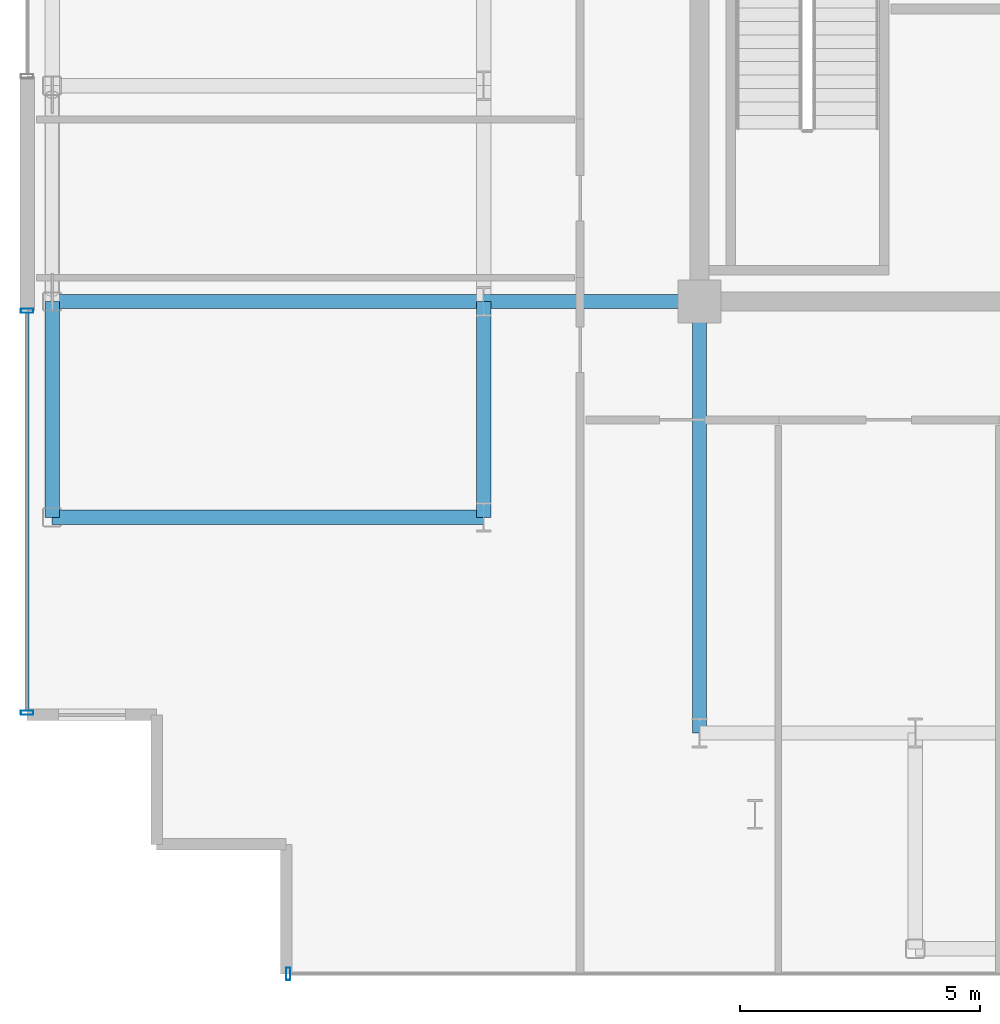
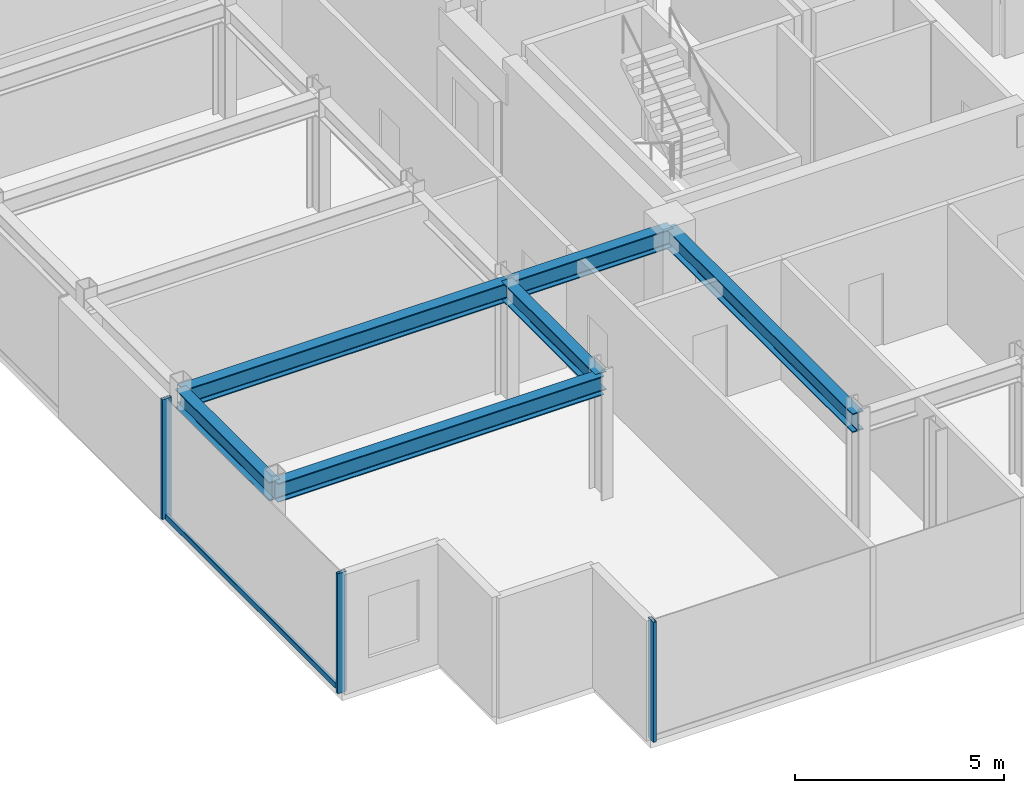
# One storey, part 2 of 16: 6 beams, 4 members, 2 elements without a shape of their own.
"""IFC4 building model written with IfcOpenShell, lengths in metres."""

import ifcopenshell
import ifcopenshell.guid

model = None  # the IFC model being written
_history = None  # IfcOwnerHistory: only IFC2X3 demands one
_inside = {}  # id of a spatial element -> (the spatial element, [elements in it])
_under = {}  # id of a project, library or spatial element -> (it, [spatial elements below it])
_declared = {}  # id of a project -> (the project, [libraries it declares])
_typed = {}  # id of a type object -> (the type object, [elements of that type])
_made_of = {}  # id of a material, layer set ... -> (it, [elements and type objects made of it])


def new_model(schema):
    """Start an empty IFC model of exactly this schema.

    Asked for "IFC4X3", IfcOpenShell would pick the latest addendum, in which some entities
    have other attributes; the version numbers below select the first issue.
    IFC2X3 requires an IfcOwnerHistory on every rooted entity: one is made here for all.
    """
    global model, _history
    if schema == "IFC4X3":
        model = ifcopenshell.file(schema_version=(4, 3, 0, 0))
    else:
        model = ifcopenshell.file(schema=schema)
    _inside.clear()
    _under.clear()
    _declared.clear()
    _typed.clear()
    _made_of.clear()
    _history = None
    if model.schema == "IFC2X3":
        org = make("IfcOrganization", Name="unknown")
        user = make(
            "IfcPersonAndOrganization",
            ThePerson=make("IfcPerson", FamilyName="unknown"),
            TheOrganization=org,
        )
        app = make(
            "IfcApplication",
            ApplicationDeveloper=org,
            Version="unknown",
            ApplicationFullName="unknown",
            ApplicationIdentifier="unknown",
        )
        _history = make(
            "IfcOwnerHistory",
            OwningUser=user,
            OwningApplication=app,
            ChangeAction="ADDED",
            CreationDate=0,
        )
    return model


def make(cls, **values):
    """One entity of the class cls with the attributes given. An attribute that is None is left unset."""
    return model.create_entity(
        cls, **{name: value for name, value in values.items() if value is not None}
    )


def rooted(cls, **values):
    """An entity with a GlobalId (a new one), such as an element, a storey or a relation."""
    return make(cls, GlobalId=ifcopenshell.guid.new(), OwnerHistory=_history, **values)


def si_unit(unit_type, name, prefix=None):
    """IfcSIUnit, for example si_unit("LENGTHUNIT", "METRE", prefix="MILLI")."""
    return make("IfcSIUnit", UnitType=unit_type, Prefix=prefix, Name=name)


def assignment(units):
    """IfcUnitAssignment: the units of a project."""
    return None if units is None else make("IfcUnitAssignment", Units=units)


def point(xyz):
    """IfcCartesianPoint."""
    return None if xyz is None else make("IfcCartesianPoint", Coordinates=xyz)


def direction(xyz):
    """IfcDirection."""
    return None if xyz is None else make("IfcDirection", DirectionRatios=xyz)


def frame(location, z_axis=None, x_axis=None):
    """IfcAxis2Placement3D, a coordinate frame: its origin and axes. An axis left out is left unset."""
    return make(
        "IfcAxis2Placement3D",
        Location=point(location),
        Axis=direction(z_axis),
        RefDirection=direction(x_axis),
    )


def frame_2d(location, x_axis=None):
    """IfcAxis2Placement2D, a coordinate frame in the plane: its origin and x axis."""
    return make(
        "IfcAxis2Placement2D", Location=point(location), RefDirection=direction(x_axis)
    )


def origin():
    """The frame at (0, 0, 0) with its axes left unset."""
    return frame((0.0, 0.0, 0.0))


def origin_2d():
    """The frame at (0, 0) in the plane with its x axis left unset."""
    return frame_2d((0.0, 0.0))


def place(relative_to, where):
    """IfcLocalPlacement: puts the frame where relative to a parent placement (None: the world)."""
    return make(
        "IfcLocalPlacement", PlacementRelTo=relative_to, RelativePlacement=where
    )


def context(
    kind, dimensions, precision=None, world=None, true_north=None, identifier=None
):
    """IfcGeometricRepresentationContext, for example the 3D "Model" context."""
    return make(
        "IfcGeometricRepresentationContext",
        ContextIdentifier=identifier,
        ContextType=kind,
        CoordinateSpaceDimension=dimensions,
        Precision=precision,
        WorldCoordinateSystem=world,
        TrueNorth=true_north,
    )


def subcontext(parent, identifier, kind, view, scale=None):
    """IfcGeometricRepresentationSubContext, for example "Body" below "Model"."""
    return make(
        "IfcGeometricRepresentationSubContext",
        ContextIdentifier=identifier,
        ContextType=kind,
        ParentContext=parent,
        TargetScale=scale,
        TargetView=view,
    )


def project(units=None, contexts=None):
    """IfcProject with its units and contexts."""
    return rooted(
        "IfcProject",
        Name="project",
        RepresentationContexts=contexts,
        UnitsInContext=assignment(units),
    )


def spatial(cls, under=None, at=None, **own):
    """A site, building, storey or space (cls), placed at a placement, below another one or the project."""
    s = rooted(cls, ObjectPlacement=at, **own)
    if under is not None:
        _under.setdefault(under.id(), (under, []))[1].append(s)
    return s


def profile(cls, at=None, kind="AREA", **sizes):
    """A parametric profile (cls). Its sizes go by their IFC names, for example OverallWidth=200.0."""
    return make(cls, ProfileType=kind, Position=at, **sizes)


def hollow_rectangle(**sizes):
    """IfcRectangleHollowProfileDef."""
    return profile("IfcRectangleHollowProfileDef", **sizes)


def i_section(**sizes):
    """IfcIShapeProfileDef."""
    return profile("IfcIShapeProfileDef", **sizes)


def extrude(swept, where, along, depth):
    """IfcExtrudedAreaSolid: the profile swept, set in the frame where, extruded along a direction by depth."""
    return make(
        "IfcExtrudedAreaSolid",
        SweptArea=swept,
        Position=where,
        ExtrudedDirection=direction(along),
        Depth=depth,
    )


def shape(context_of_items, identifier, shape_type, items):
    """IfcShapeRepresentation: the items that make up one representation, for example the "Body"."""
    return make(
        "IfcShapeRepresentation",
        ContextOfItems=context_of_items,
        RepresentationIdentifier=identifier,
        RepresentationType=shape_type,
        Items=items,
    )


def source(mapping_origin, context_of_items, identifier, shape_type, items):
    """IfcRepresentationMap: a shape defined once, which mapped items show again and again."""
    return make(
        "IfcRepresentationMap",
        MappingOrigin=mapping_origin,
        MappedRepresentation=shape(context_of_items, identifier, shape_type, items),
    )


def transform(
    local_origin,
    x_axis=None,
    y_axis=None,
    z_axis=None,
    scale=None,
    scale2=None,
    scale3=None,
    uniform=True,
):
    """IfcCartesianTransformationOperator3D, or its non-uniform kind. x_axis, y_axis, z_axis: its Axis1, 2, 3."""
    if uniform:
        return make(
            "IfcCartesianTransformationOperator3D",
            Axis1=direction(x_axis),
            Axis2=direction(y_axis),
            LocalOrigin=point(local_origin),
            Scale=scale,
            Axis3=direction(z_axis),
        )
    return make(
        "IfcCartesianTransformationOperator3DnonUniform",
        Axis1=direction(x_axis),
        Axis2=direction(y_axis),
        LocalOrigin=point(local_origin),
        Scale=scale,
        Axis3=direction(z_axis),
        Scale2=scale2,
        Scale3=scale3,
    )


def mapped(mapping_source, mapping_target):
    """IfcMappedItem: shows the shape of a source again, moved by a transform."""
    return make(
        "IfcMappedItem", MappingSource=mapping_source, MappingTarget=mapping_target
    )


def material(Name=None, Category=None):
    """IfcMaterial."""
    return make("IfcMaterial", Name=Name, Category=Category)


def layer(
    of_material, thickness, ventilated=None, Name=None, Category=None, Priority=None
):
    """IfcMaterialLayer: one layer of a wall or slab, of a material (None: an air gap)."""
    return make(
        "IfcMaterialLayer",
        Material=of_material,
        LayerThickness=thickness,
        IsVentilated=ventilated,
        Name=Name,
        Category=Category,
        Priority=Priority,
    )


def layer_set(layers, Name=None):
    """IfcMaterialLayerSet."""
    return make("IfcMaterialLayerSet", MaterialLayers=layers, LayerSetName=Name)


def material_profile(
    of_material, cross_section, Name=None, Category=None, Priority=None
):
    """IfcMaterialProfile: a cross section and its material."""
    return make(
        "IfcMaterialProfile",
        Name=Name,
        Material=of_material,
        Profile=cross_section,
        Priority=Priority,
        Category=Category,
    )


def profile_set(profiles, Name=None, composite=None):
    """IfcMaterialProfileSet."""
    return make(
        "IfcMaterialProfileSet",
        Name=Name,
        MaterialProfiles=profiles,
        CompositeProfile=composite,
    )


def made_of(thing, what):
    """Note that an element or type object is made of a material, layer set ...; save() writes the relation."""
    if what is not None:
        _made_of.setdefault(what.id(), (what, []))[1].append(thing)
    return thing


def type_object(cls, material=None, **own):
    """A type object (cls), such as IfcWallType, which elements share."""
    return made_of(rooted(cls, **own), material)


def element(
    cls,
    number,
    at=None,
    inside=None,
    cuts=None,
    type_object=None,
    material=None,
    context=None,
    identifier="Body",
    shape_type=None,
    held_by="IfcProductDefinitionShape",
    body=None,
    shapes=None,
    **own,
):
    """One element of the class cls, such as IfcWall. Its Tag is "e" and its number.

    at: its placement. inside: the storey or other place that contains it. cuts: it is an
    opening in that element (IfcRelVoidsElement). A single representation is given by context,
    identifier, shape_type and body (its items); several are given by shapes. held_by: the class
    of the entity that holds the representations. save() writes the other relations.
    """
    e = rooted(cls, Tag="e%d" % number, ObjectPlacement=at, **own)
    if body is not None:
        shapes = [shape(context, identifier, shape_type, body)]
    if shapes is not None:
        e.Representation = make(held_by, Representations=shapes)
    if inside is not None:
        _inside.setdefault(inside.id(), (inside, []))[1].append(e)
    if cuts is not None:
        rooted(
            "IfcRelVoidsElement", RelatingBuildingElement=cuts, RelatedOpeningElement=e
        )
    if type_object is not None:
        _typed.setdefault(type_object.id(), (type_object, []))[1].append(e)
    return made_of(e, material)


def aggregate(whole, parts):
    """IfcRelAggregates: a whole, such as a stair, and the parts it consists of."""
    return rooted("IfcRelAggregates", RelatingObject=whole, RelatedObjects=parts)


def save(model, path):
    """Write the relations noted so far, then the file.

    IfcRelAggregates (storeys below a building ...), IfcRelContainedInSpatialStructure (elements
    in a storey), IfcRelDefinesByType, IfcRelAssociatesMaterial and IfcRelDeclares: one each for
    every whole, place, type object, material and project.
    """
    for whole, parts in _under.values():
        aggregate(whole, parts)
    for where, things in _inside.values():
        rooted(
            "IfcRelContainedInSpatialStructure",
            RelatedElements=things,
            RelatingStructure=where,
        )
    for kind, things in _typed.values():
        rooted("IfcRelDefinesByType", RelatedObjects=things, RelatingType=kind)
    for what, things in _made_of.values():
        rooted("IfcRelAssociatesMaterial", RelatedObjects=things, RelatingMaterial=what)
    for by, libraries in _declared.values():
        rooted("IfcRelDeclares", RelatingContext=by, RelatedDefinitions=libraries)
    model.write(path)


model = new_model("IFC4")

# Units and contexts
model_context = context("Model", 3, precision=1e-05, world=origin(), true_north=direction((0.0, 1.0)))
body_context = subcontext(model_context, "Body", "Model", "MODEL_VIEW")
ifc_project = project(units=[si_unit("LENGTHUNIT", "METRE"), si_unit("AREAUNIT", "SQUARE_METRE"), si_unit("VOLUMEUNIT", "CUBIC_METRE"), si_unit("PLANEANGLEUNIT", "RADIAN"), si_unit("MASSUNIT", "GRAM", prefix="KILO")], contexts=[model_context])

# Site, building, storey
site_placement = place(None, origin())
site = spatial("IfcSite", under=ifc_project, at=site_placement, CompositionType="ELEMENT")
building_placement = place(site_placement, origin())
building = spatial("IfcBuilding", under=site, at=building_placement, Name="Nefas-Gora Pilgrimage Tower", CompositionType="ELEMENT")
storey_placement = place(building_placement, frame((0.0, 0.0, 345.199951171875)))
storey = spatial("IfcBuildingStorey", under=building, at=storey_placement, Name="L87", CompositionType="ELEMENT", Elevation=345.199951171875)

# Beams
ifc_material_1 = material(Name="Steel S355", Category="steel")
ifc_material_profile_1 = material_profile(ifc_material_1, i_section(OverallWidth=0.300048828125, OverallDepth=0.550048828125, WebThickness=0.014892578125, FlangeThickness=0.029052734375, FilletRadius=0.027099609375, at=origin_2d()), Name="HEB 550")
ifc_profile_set_1 = profile_set([ifc_material_profile_1], Name="Steel S355")
beam_type_1 = type_object("IfcBeamType", Name="BM-SPN-HEB400", PredefinedType="SPANDREL", material=ifc_profile_set_1)
shared_shape_1 = source(origin(), body_context, "Body", "SweptSolid", [
    extrude(i_section(OverallWidth=0.300048828125, OverallDepth=0.550048828125, WebThickness=0.014892578125, FlangeThickness=0.029052734375, FilletRadius=0.027099609375, at=origin_2d()), origin(), (0.0, 0.0, 1.0), 4.5),
])
beam_placement = place(storey_placement, frame((-24.75, -13.5, 3.22509765625), z_axis=(0.0, 1.0, 0.0), x_axis=(-1.0, 0.0, 0.0)))
element("IfcBeam", 1, at=beam_placement, inside=storey, type_object=beam_type_1, Name="L87 SP-04 beam", PredefinedType="SPANDREL", context=body_context, shape_type="MappedRepresentation", body=[
    mapped(shared_shape_1, transform((0.0, 0.0, 0.0), x_axis=(1.0, 0.0, 0.0), y_axis=(0.0, 1.0, 0.0), z_axis=(0.0, 0.0, 1.0), scale=1.0)),
])
ifc_material_profile_2 = material_profile(ifc_material_1, i_section(OverallWidth=0.300048828125, OverallDepth=0.550048828125, WebThickness=0.014892578125, FlangeThickness=0.029052734375, FilletRadius=0.027099609375, at=origin_2d()), Name="HEB 550")
ifc_profile_set_2 = profile_set([ifc_material_profile_2], Name="Steel S355")
beam_type_2 = type_object("IfcBeamType", Name="BM-GIR-HEB550", PredefinedType="BEAM", material=ifc_profile_set_2)
shared_shape_2 = source(origin(), body_context, "Body", "SweptSolid", [
    extrude(i_section(OverallWidth=0.300048828125, OverallDepth=0.550048828125, WebThickness=0.014892578125, FlangeThickness=0.029052734375, FilletRadius=0.027099609375, at=origin_2d()), origin(), (0.0, 0.0, 1.0), 9.0),
])
for number, where, z_axis, x_axis, name in (
    (2, (-24.75, -13.5, 3.22509765625), (1.0, 0.0, 0.0), (0.0, 1.0, 0.0), "L87 G-05 beam"),
    (3, (-24.75, -9.0, 3.22509765625), (1.0, 0.0, 0.0), (0.0, 1.0, 0.0), "L87 G-05 beam"),
    (4, (-11.25, -18.0, 3.22509765625), (0.0, 1.0, 0.0), (-1.0, 0.0, 0.0), "L87 G-05 beam"),
):
    element("IfcBeam", number, at=place(storey_placement, frame(where, z_axis=z_axis, x_axis=x_axis)), inside=storey, type_object=beam_type_2, Name=name, PredefinedType="BEAM", context=body_context, shape_type="MappedRepresentation", body=[
        mapped(shared_shape_2, transform((0.0, 0.0, 0.0), x_axis=(1.0, 0.0, 0.0), y_axis=(0.0, 1.0, 0.0), z_axis=(0.0, 0.0, 1.0), scale=1.0)),
    ])
shared_shape_3 = source(origin(), body_context, "Body", "SweptSolid", [
    extrude(i_section(OverallWidth=0.300048828125, OverallDepth=0.550048828125, WebThickness=0.014892578125, FlangeThickness=0.029052734375, FilletRadius=0.027099609375, at=origin_2d()), origin(), (0.0, 0.0, 1.0), 4.5),
])
for number, where, z_axis, x_axis, name in (
    (5, (-15.75, -13.5, 3.22509765625), (0.0, 1.0, 0.0), (-1.0, 0.0, 0.0), "L87 G-05 beam"),
    (6, (-15.75, -9.0, 3.22509765625), (1.0, 0.0, 0.0), (0.0, 1.0, 0.0), "L87 G-05 beam"),
):
    element("IfcBeam", number, at=place(storey_placement, frame(where, z_axis=z_axis, x_axis=x_axis)), inside=storey, type_object=beam_type_2, Name=name, PredefinedType="BEAM", context=body_context, shape_type="MappedRepresentation", body=[
        mapped(shared_shape_3, transform((0.0, 0.0, 0.0), x_axis=(1.0, 0.0, 0.0), y_axis=(0.0, 1.0, 0.0), z_axis=(0.0, 0.0, 1.0), scale=1.0)),
    ])

# Curtain wall, members
ifc_material_2 = material(Name="Dark ceramic-fritted solar-control aluminium-glass curtain wall", Category="aluminium")
ifc_layer = layer(ifc_material_2, 0.219970703125)
ifc_layer_set = layer_set([ifc_layer], Name="Dark ceramic-fritted solar-control aluminium-glass curtain wall")
curtain_wall_type = type_object("IfcCurtainWallType", Name="CW-SYS-4", PredefinedType="NOTDEFINED", material=ifc_layer_set)
curtain_wall_1_placement = place(storey_placement, origin())
curtain_wall_1 = element("IfcCurtainWall", 7, at=curtain_wall_1_placement, inside=storey, type_object=curtain_wall_type, Name="L87 Unitised Curtain Wall CW4", PredefinedType="NOTDEFINED")
ifc_material_3 = material(Name="Anodised architectural aluminium", Category="aluminium")
ifc_material_profile_3 = material_profile(ifc_material_3, hollow_rectangle(XDim=0.080078125, YDim=0.159912109375, WallThickness=0.00439453125, InnerFilletRadius=0.00439453125, OuterFilletRadius=0.009033203125, at=origin_2d()), Name="ALU TRANSOM 80x160")
ifc_profile_set_3 = profile_set([ifc_material_profile_3], Name="Anodised architectural aluminium")
member_type_1 = type_object("IfcMemberType", Name="CWM-TRN-4", PredefinedType="USERDEFINED", material=ifc_profile_set_3)
shared_shape_4 = source(origin(), body_context, "Body", "SweptSolid", [
    extrude(hollow_rectangle(XDim=0.080078125, YDim=0.159912109375, WallThickness=0.00439453125, InnerFilletRadius=0.00439453125, OuterFilletRadius=0.009033203125, at=origin_2d()), origin(), (0.0, 0.0, 1.0), 8.2900390625),
])
member_1_placement = place(storey_placement, frame((-25.27001953125, -9.239990234375, 0.050048828125), z_axis=(0.0, -1.0, 0.0), x_axis=(1.0, 0.0, 0.0)))
member_1 = element("IfcMember", 8, at=member_1_placement, type_object=member_type_1, Name="CW4 Spandrel Transom", ObjectType="TRANSOM", PredefinedType="USERDEFINED", context=body_context, shape_type="MappedRepresentation", body=[
    mapped(shared_shape_4, transform((0.0, 0.0, 0.0), x_axis=(1.0, 0.0, 0.0), y_axis=(0.0, 1.0, 0.0), z_axis=(0.0, 0.0, 1.0), scale=1.0)),
])
ifc_material_profile_4 = material_profile(ifc_material_3, hollow_rectangle(XDim=0.090087890625, YDim=0.260009765625, WallThickness=0.006103515625, InnerFilletRadius=0.006103515625, OuterFilletRadius=0.011962890625, at=origin_2d()), Name="ALU MULLION 90x260")
ifc_profile_set_4 = profile_set([ifc_material_profile_4], Name="Anodised architectural aluminium")
member_type_2 = type_object("IfcMemberType", Name="CWM-MUL-4", PredefinedType="MULLION", material=ifc_profile_set_4)
shared_shape_5 = source(origin(), body_context, "Body", "SweptSolid", [
    extrude(hollow_rectangle(XDim=0.090087890625, YDim=0.260009765625, WallThickness=0.006103515625, InnerFilletRadius=0.006103515625, OuterFilletRadius=0.011962890625, at=origin_2d()), origin(), (0.0, 0.0, 1.0), 3.5),
])
member_2_placement = place(storey_placement, frame((-25.27001953125, -9.195068359375, 0.0), z_axis=(0.0, 0.0, 1.0), x_axis=(0.0, -1.0, 0.0)))
member_2 = element("IfcMember", 9, at=member_2_placement, type_object=member_type_2, Name="CW4 Mullion 1", PredefinedType="MULLION", context=body_context, shape_type="MappedRepresentation", body=[
    mapped(shared_shape_5, transform((0.0, 0.0, 0.0), x_axis=(1.0, 0.0, 0.0), y_axis=(0.0, 1.0, 0.0), z_axis=(0.0, 0.0, 1.0), scale=1.0)),
])
member_3_placement = place(storey_placement, frame((-25.27001953125, -17.574951171875, 0.0), z_axis=(0.0, 0.0, 1.0), x_axis=(0.0, -1.0, 0.0)))
member_3 = element("IfcMember", 10, at=member_3_placement, type_object=member_type_2, Name="CW4 Mullion 2", PredefinedType="MULLION", context=body_context, shape_type="MappedRepresentation", body=[
    mapped(shared_shape_5, transform((0.0, 0.0, 0.0), x_axis=(1.0, 0.0, 0.0), y_axis=(0.0, 1.0, 0.0), z_axis=(0.0, 0.0, 1.0), scale=1.0)),
])
aggregate(curtain_wall_1, [member_2, member_3, member_1])

# Curtain wall, member
curtain_wall_2_placement = place(storey_placement, origin())
curtain_wall_2 = element("IfcCurtainWall", 11, at=curtain_wall_2_placement, inside=storey, type_object=curtain_wall_type, Name="L87 Unitised Curtain Wall CW4", PredefinedType="NOTDEFINED")
member_4_placement = place(storey_placement, frame((-19.824951171875, -23.02001953125, 0.0), z_axis=(0.0, 0.0, 1.0), x_axis=(1.0, 0.0, 0.0)))
member_4 = element("IfcMember", 12, at=member_4_placement, type_object=member_type_2, Name="CW4 Mullion 1", PredefinedType="MULLION", context=body_context, shape_type="MappedRepresentation", body=[
    mapped(shared_shape_5, transform((0.0, 0.0, 0.0), x_axis=(1.0, 0.0, 0.0), y_axis=(0.0, 1.0, 0.0), z_axis=(0.0, 0.0, 1.0), scale=1.0)),
])
aggregate(curtain_wall_2, [member_4])

save(model, "model.ifc")
